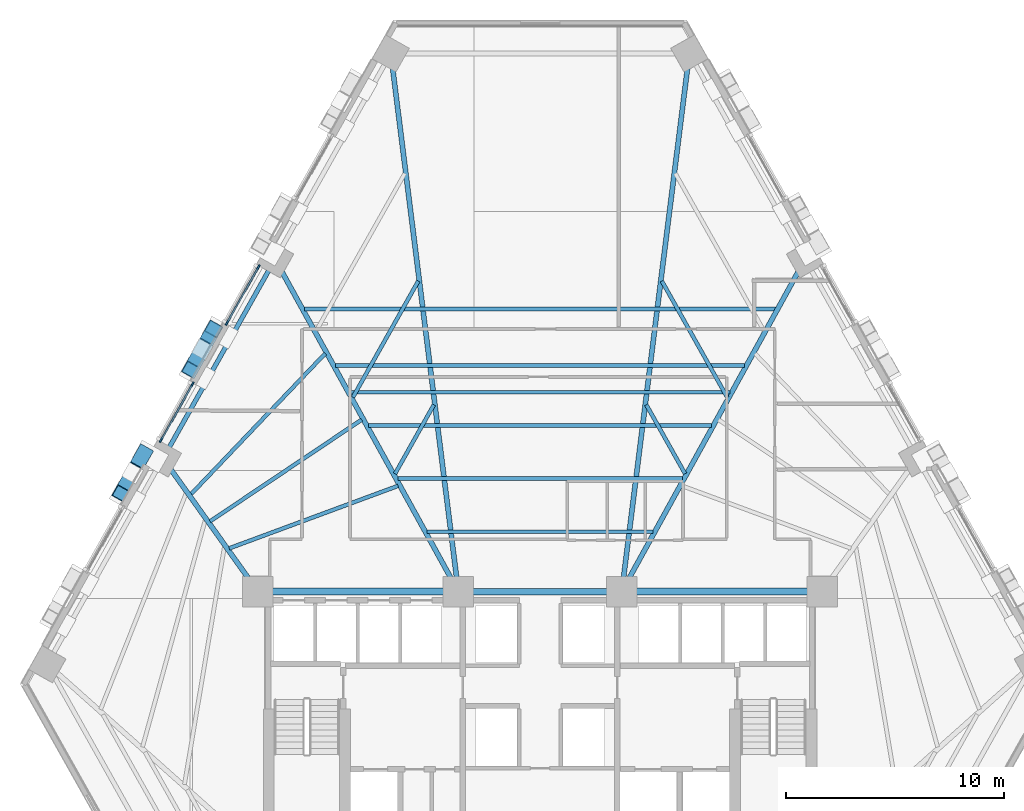
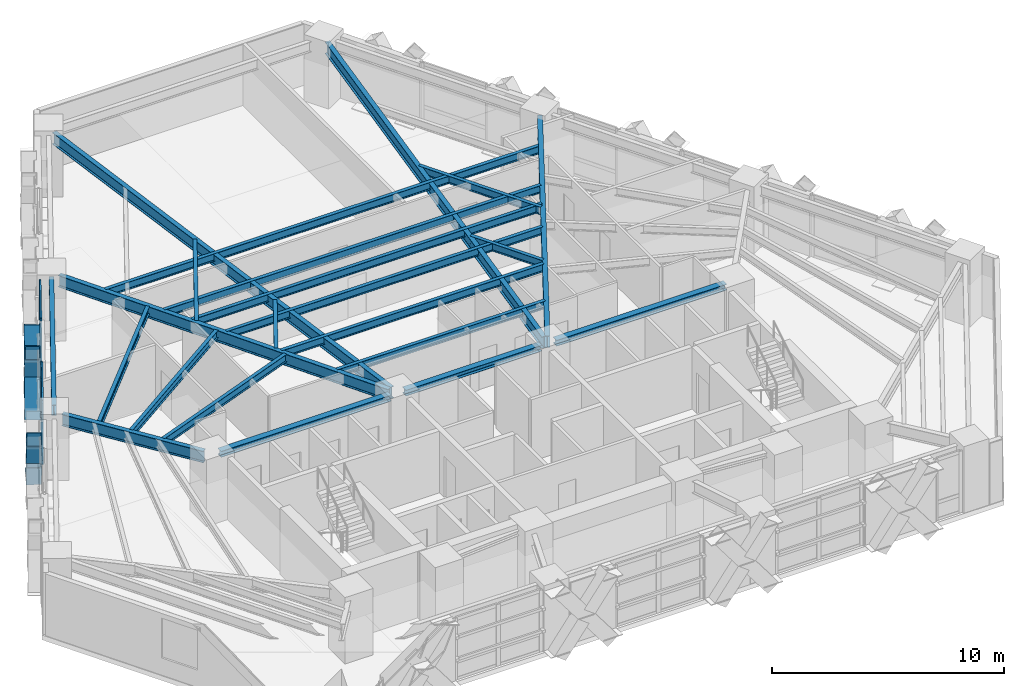
# One storey, part 3 of 13: 22 beams, 15 members, 2 elements without a shape of their own.
"""IFC4 building model written with IfcOpenShell, lengths in metres."""

from ifc_helpers import new_model, si_unit, direction, frame, origin, origin_2d, place, context, subcontext, project, spatial, rectangle, hollow_rectangle, i_section, extrude, material, material_profile, profile_set, type_object, element, aggregate, save


model = new_model("IFC4")

# Units and contexts
model_context = context("Model", 3, precision=1e-05, world=origin(), true_north=direction((0.0, 1.0)))
body_context = subcontext(model_context, "Body", "Model", "MODEL_VIEW")
ifc_project = project(units=[si_unit("LENGTHUNIT", "METRE"), si_unit("AREAUNIT", "SQUARE_METRE"), si_unit("VOLUMEUNIT", "CUBIC_METRE"), si_unit("PLANEANGLEUNIT", "RADIAN"), si_unit("MASSUNIT", "GRAM", prefix="KILO")], contexts=[model_context])

# Site, building, storey
site_placement = place(None, origin())
site = spatial("IfcSite", under=ifc_project, at=site_placement, CompositionType="ELEMENT")
building_placement = place(site_placement, origin())
building = spatial("IfcBuilding", under=site, at=building_placement, Name="Quenlor Broadcast Tower", CompositionType="ELEMENT")
storey_placement = place(building_placement, frame((0.0, 0.0, 41.60009765625)))
storey = spatial("IfcBuildingStorey", under=building, at=storey_placement, Name="L10", CompositionType="ELEMENT", Elevation=41.60009765625)

# Curtain wall, members
ifc_material_1 = material(Name="Architectural Terracotta and Low-E Glazing", Category="masonry")
curtain_wall_type = type_object("IfcCurtainWallType", Name="Unitised Terracotta Curtain Wall System Z1", PredefinedType="NOTDEFINED", material=ifc_material_1)
curtain_wall_1_placement = place(storey_placement, origin())
curtain_wall_1 = element("IfcCurtainWall", 1, at=curtain_wall_1_placement, inside=storey, type_object=curtain_wall_type, Name="L10 Curtain Wall CW1 (L10-NW-G1)", PredefinedType="NOTDEFINED")
ifc_material_2 = material(Name="Aluminium 6063-T6", Category="aluminium")
ifc_material_profile_1 = material_profile(ifc_material_2, rectangle(XDim=0.080078125, YDim=0.219970703125, at=origin_2d()))
ifc_profile_set_1 = profile_set([ifc_material_profile_1], Name="Aluminium 6063-T6 MULL80x220")
member_type_1 = type_object("IfcMemberType", Name="CW1 Aluminium Mullion MULL_CW1", PredefinedType="MULLION", material=ifc_profile_set_1)
member_1_placement = place(storey_placement, frame((-17.39501953125, 2.149169921875, 0.0), z_axis=(0.0, 0.0, 1.0), x_axis=(-0.871568481465, 0.490273782815, 0.0)))
member_1 = element("IfcMember", 2, at=member_1_placement, type_object=member_type_1, Name="CW1 mullion 1", PredefinedType="MULLION", context=body_context, shape_type="SweptSolid", body=[
    extrude(rectangle(XDim=0.080078125, YDim=0.219970703125, at=origin_2d()), origin(), (0.0, 0.0, 1.0), 3.25),
])
member_2_placement = place(storey_placement, frame((-15.94970703125, 4.718505859375, 0.0), z_axis=(0.0, 0.0, 1.0), x_axis=(-0.871568481465, 0.490273782815, 0.0)))
member_2 = element("IfcMember", 3, at=member_2_placement, type_object=member_type_1, Name="CW1 mullion 2", PredefinedType="MULLION", context=body_context, shape_type="SweptSolid", body=[
    extrude(rectangle(XDim=0.080078125, YDim=0.219970703125, at=origin_2d()), origin(), (0.0, 0.0, 1.0), 3.25),
])

curtain_wall_2_placement = place(storey_placement, origin())
curtain_wall_2 = element("IfcCurtainWall", 4, at=curtain_wall_2_placement, inside=storey, type_object=curtain_wall_type, Name="L10 Curtain Wall CW1 (L10-NW-G2)", PredefinedType="NOTDEFINED")
member_3_placement = place(storey_placement, frame((-14.371337890625, 7.524658203125, 0.0), z_axis=(0.0, 0.0, 1.0), x_axis=(-0.871568481465, 0.490273782815, 0.0)))
member_3 = element("IfcMember", 5, at=member_3_placement, type_object=member_type_1, Name="CW1 mullion 1", PredefinedType="MULLION", context=body_context, shape_type="SweptSolid", body=[
    extrude(rectangle(XDim=0.080078125, YDim=0.219970703125, at=origin_2d()), origin(), (0.0, 0.0, 1.0), 3.25),
])
member_4_placement = place(storey_placement, frame((-12.926025390625, 10.09423828125, 0.0), z_axis=(0.0, 0.0, 1.0), x_axis=(-0.871568481465, 0.490273782815, 0.0)))
member_4 = element("IfcMember", 6, at=member_4_placement, type_object=member_type_1, Name="CW1 mullion 2", PredefinedType="MULLION", context=body_context, shape_type="SweptSolid", body=[
    extrude(rectangle(XDim=0.080078125, YDim=0.219970703125, at=origin_2d()), origin(), (0.0, 0.0, 1.0), 3.25),
])

# Member
ifc_material_3 = material(Name="Aluminium 6063-T6", Category="aluminium")
ifc_material_profile_2 = material_profile(ifc_material_3, rectangle(XDim=0.080078125, YDim=0.179931640625, at=origin_2d()))
ifc_profile_set_2 = profile_set([ifc_material_profile_2], Name="Aluminium 6063-T6 TRAN80x180")
member_type_2 = type_object("IfcMemberType", Name="CW1 Aluminium Transom TRAN_CW1", PredefinedType="USERDEFINED", material=ifc_profile_set_2)
member_5_placement = place(storey_placement, frame((-17.37548828125, 2.183837890625, 0.039794921875), z_axis=(0.490297611432, 0.871555076988, 0.0), x_axis=(-0.871555076988, 0.490297611432, 0.0)))
member_5 = element("IfcMember", 7, at=member_5_placement, type_object=member_type_2, Name="CW1 transom 1.1", ObjectType="TRANSOM", PredefinedType="USERDEFINED", context=body_context, shape_type="SweptSolid", body=[
    extrude(rectangle(XDim=0.080078125, YDim=0.179931640625, at=origin_2d()), origin(), (0.0, 0.0, 1.0), 2.8681640625),
])

member_6_placement = place(storey_placement, frame((-17.37548828125, 2.183837890625, 0.949951171875), z_axis=(0.490297611432, 0.871555076988, 0.0), x_axis=(-0.871555076988, 0.490297611432, 0.0)))
member_6 = element("IfcMember", 8, at=member_6_placement, type_object=member_type_2, Name="CW1 transom 1.2", ObjectType="TRANSOM", PredefinedType="USERDEFINED", context=body_context, shape_type="SweptSolid", body=[
    extrude(rectangle(XDim=0.080078125, YDim=0.179931640625, at=origin_2d()), origin(), (0.0, 0.0, 1.0), 2.8681640625),
])

member_7_placement = place(storey_placement, frame((-17.37548828125, 2.183837890625, 3.2099609375), z_axis=(0.490297611432, 0.871555076988, 0.0), x_axis=(-0.871555076988, 0.490297611432, 0.0)))
member_7 = element("IfcMember", 9, at=member_7_placement, type_object=member_type_2, Name="CW1 transom 1.3", ObjectType="TRANSOM", PredefinedType="USERDEFINED", context=body_context, shape_type="SweptSolid", body=[
    extrude(rectangle(XDim=0.080078125, YDim=0.179931640625, at=origin_2d()), origin(), (0.0, 0.0, 1.0), 2.8681640625),
])

aggregate(curtain_wall_1, [member_1, member_2, member_5, member_6, member_7])

member_8_placement = place(storey_placement, frame((-14.3515625, 7.5595703125, 0.039794921875), z_axis=(0.490232948684, 0.871591450179, 0.0), x_axis=(-0.871591450179, 0.490232948684, 0.0)))
member_8 = element("IfcMember", 10, at=member_8_placement, type_object=member_type_2, Name="CW1 transom 1.1", ObjectType="TRANSOM", PredefinedType="USERDEFINED", context=body_context, shape_type="SweptSolid", body=[
    extrude(rectangle(XDim=0.080078125, YDim=0.179931640625, at=origin_2d()), origin(), (0.0, 0.0, 1.0), 2.867919921875),
])

member_9_placement = place(storey_placement, frame((-14.3515625, 7.5595703125, 0.949951171875), z_axis=(0.490232948684, 0.871591450179, 0.0), x_axis=(-0.871591450179, 0.490232948684, 0.0)))
member_9 = element("IfcMember", 11, at=member_9_placement, type_object=member_type_2, Name="CW1 transom 1.2", ObjectType="TRANSOM", PredefinedType="USERDEFINED", context=body_context, shape_type="SweptSolid", body=[
    extrude(rectangle(XDim=0.080078125, YDim=0.179931640625, at=origin_2d()), origin(), (0.0, 0.0, 1.0), 2.867919921875),
])

member_10_placement = place(storey_placement, frame((-14.3515625, 7.5595703125, 3.2099609375), z_axis=(0.490232948684, 0.871591450179, 0.0), x_axis=(-0.871591450179, 0.490232948684, 0.0)))
member_10 = element("IfcMember", 12, at=member_10_placement, type_object=member_type_2, Name="CW1 transom 1.3", ObjectType="TRANSOM", PredefinedType="USERDEFINED", context=body_context, shape_type="SweptSolid", body=[
    extrude(rectangle(XDim=0.080078125, YDim=0.179931640625, at=origin_2d()), origin(), (0.0, 0.0, 1.0), 2.867919921875),
])

aggregate(curtain_wall_2, [member_3, member_4, member_8, member_9, member_10])

# Beams
ifc_material_4 = material(Name="Steel S355", Category="steel")
ifc_material_profile_3 = material_profile(ifc_material_4, i_section(OverallWidth=0.304931640625, OverallDepth=0.30810546875, WebThickness=0.010009765625, FlangeThickness=0.015380859375, FilletRadius=0.0166015625, at=origin_2d()))
ifc_profile_set_3 = profile_set([ifc_material_profile_3], Name="Steel S355 310UC96.8")
beam_type_1 = type_object("IfcBeamType", Name="Core Header Beam Steel S355 310UC96.8", PredefinedType="BEAM", material=ifc_profile_set_3)
beam_1_placement = place(storey_placement, frame((-3.389892578125, -4.800048828125, 3.095947265625), z_axis=(1.0, 0.0, 0.0), x_axis=(0.0, 1.0, 0.0)))
element("IfcBeam", 13, at=beam_1_placement, inside=storey, type_object=beam_type_1, Name="L10 Core Header Beam 2", PredefinedType="BEAM", context=body_context, shape_type="SweptSolid", body=[
    extrude(i_section(OverallWidth=0.304931640625, OverallDepth=0.30810546875, WebThickness=0.010009765625, FlangeThickness=0.015380859375, FilletRadius=0.0166015625, at=origin_2d()), origin(), (0.0, 0.0, 1.0), 6.77978515625),
])
ifc_material_5 = material(Name="Steel S355", Category="steel")
ifc_material_profile_4 = material_profile(ifc_material_5, i_section(OverallWidth=0.306884765625, OverallDepth=0.314697265625, WebThickness=0.011962890625, FlangeThickness=0.018798828125, FilletRadius=0.0166015625, at=origin_2d()))
ifc_profile_set_4 = profile_set([ifc_material_profile_4], Name="Steel S355 310UC118")
beam_type_2 = type_object("IfcBeamType", Name="Core Tie Beam Steel S355 310UC118", PredefinedType="BEAM", material=ifc_profile_set_4)
for number, where, z_axis, x_axis, name in (
    (14, (-12.590087890625, -4.800048828125, 3.092529296875), (1.0, 0.0, 0.0), (0.0, 1.0, 0.0), "L10 Core Tie Beam 1"),
    (15, (4.110107421875, -4.800048828125, 3.092529296875), (1.0, 0.0, 0.0), (0.0, 1.0, 0.0), "L10 Core Tie Beam 3"),
):
    element("IfcBeam", number, at=place(storey_placement, frame(where, z_axis=z_axis, x_axis=x_axis)), inside=storey, type_object=beam_type_2, Name=name, PredefinedType="BEAM", context=body_context, shape_type="SweptSolid", body=[
        extrude(i_section(OverallWidth=0.306884765625, OverallDepth=0.314697265625, WebThickness=0.011962890625, FlangeThickness=0.018798828125, FilletRadius=0.0166015625, at=origin_2d()), origin(), (0.0, 0.0, 1.0), 8.47998046875),
    ])

# Members
ifc_material_6 = material(Name="Steel S355", Category="steel")
ifc_material_profile_5 = material_profile(ifc_material_6, hollow_rectangle(XDim=0.679931640625, YDim=0.679931640625, WallThickness=0.034912109375, at=origin_2d()))
ifc_profile_set_5 = profile_set([ifc_material_profile_5], Name="Steel S355 RHS680x680x35")
member_type_3 = type_object("IfcMemberType", Name="Perimeter Diagonal Lattice Brace Z1 Steel S355 RHS680x35", PredefinedType="BRACE", material=ifc_profile_set_5)
member_11_placement = place(storey_placement, frame((-18.175048828125, 1.56787109375, -0.1201171875), z_axis=(-0.256451721554, -0.455763724789, 0.852356698618), x_axis=(0.871506382136, -0.490384161547, 0.0)))
element("IfcMember", 16, at=member_11_placement, inside=storey, type_object=member_type_3, Name="L10 Perimeter Diamond Lattice NW-C2XB1", PredefinedType="BRACE", context=body_context, shape_type="SweptSolid", body=[
    extrude(hollow_rectangle(XDim=0.679931640625, YDim=0.679931640625, WallThickness=0.034912109375, at=origin_2d()), origin(), (0.0, 0.0, 1.0), 1.802978515625),
])
member_12_placement = place(storey_placement, frame((-18.765625, 0.518310546875, 1.843017578125), z_axis=(-0.256435894674, -0.455870991217, 0.852304095549), x_axis=(0.871568623966, -0.49027352949, 0.0)))
element("IfcMember", 17, at=member_12_placement, inside=storey, type_object=member_type_3, Name="L10 Perimeter Diamond Lattice NW-C2XB2", PredefinedType="BRACE", context=body_context, shape_type="SweptSolid", body=[
    extrude(hollow_rectangle(XDim=0.679931640625, YDim=0.679931640625, WallThickness=0.034912109375, at=origin_2d()), origin(), (0.0, 0.0, 1.0), 1.80322265625),
])
member_13_placement = place(storey_placement, frame((-16.03125, 5.37939453125, -0.1201171875), z_axis=(0.256368393635, 0.455838699906, 0.852341672343), x_axis=(-0.871608931644, 0.490201866865, 0.0)))
element("IfcMember", 18, at=member_13_placement, inside=storey, type_object=member_type_3, Name="L10 Perimeter Diamond Lattice NW-C3XA", PredefinedType="BRACE", context=body_context, shape_type="SweptSolid", body=[
    extrude(hollow_rectangle(XDim=0.679931640625, YDim=0.679931640625, WallThickness=0.034912109375, at=origin_2d()), origin(), (0.0, 0.0, 1.0), 4.1064453125),
])
for number, where, z_axis, x_axis, name in (
    (19, (-14.978515625, 7.251220703125, -0.1201171875), (-0.256309397679, -0.455886815629, 0.852333681135), (0.871679226863, -0.490076856683, 0.0), "L10 Perimeter Diamond Lattice NW-C3XB1"),
    (20, (-15.56884765625, 6.201416015625, 1.843017578125), (-0.256435894674, -0.455870991217, 0.852304095549), (0.871568623966, -0.49027352949, 0.0), "L10 Perimeter Diamond Lattice NW-C3XB2"),
):
    element("IfcMember", number, at=place(storey_placement, frame(where, z_axis=z_axis, x_axis=x_axis)), inside=storey, type_object=member_type_3, Name=name, PredefinedType="BRACE", context=body_context, shape_type="SweptSolid", body=[
        extrude(hollow_rectangle(XDim=0.679931640625, YDim=0.679931640625, WallThickness=0.034912109375, at=origin_2d()), origin(), (0.0, 0.0, 1.0), 1.80322265625),
    ])

# Beams
ifc_material_7 = material(Name="Steel S355", Category="steel")
ifc_material_profile_6 = material_profile(ifc_material_7, i_section(OverallWidth=0.208984375, OverallDepth=0.532958984375, WebThickness=0.01025390625, FlangeThickness=0.015625, FilletRadius=0.013916015625, at=origin_2d()))
ifc_profile_set_6 = profile_set([ifc_material_profile_6], Name="Steel S355 530UB92.4")
beam_type_3 = type_object("IfcBeamType", Name="Perimeter Spandrel Beam Z1 Steel S355 530UB92.4", PredefinedType="SPANDREL", material=ifc_profile_set_6)
beam_2_placement = place(storey_placement, frame((-12.364013671875, 10.093505859375, 2.9833984375), z_axis=(-0.490257642051, -0.871577560755, 0.0), x_axis=(0.871577560755, -0.490257642051, 0.0)))
element("IfcBeam", 21, at=beam_2_placement, inside=storey, type_object=beam_type_3, Name="L10 Spandrel Beam NW2-NW3", PredefinedType="SPANDREL", context=body_context, shape_type="SweptSolid", body=[
    extrude(i_section(OverallWidth=0.208984375, OverallDepth=0.532958984375, WebThickness=0.01025390625, FlangeThickness=0.015625, FilletRadius=0.013916015625, at=origin_2d()), origin(), (0.0, 0.0, 1.0), 9.665771484375),
])
ifc_material_8 = material(Name="Steel S355", Category="steel")
ifc_material_profile_7 = material_profile(ifc_material_8, i_section(OverallWidth=0.177978515625, OverallDepth=0.406494140625, WebThickness=0.0078125, FlangeThickness=0.0126953125, FilletRadius=0.011474609375, at=origin_2d()))
ifc_profile_set_7 = profile_set([ifc_material_profile_7], Name="Steel S355 410UB59.7")
beam_type_4 = type_object("IfcBeamType", Name="Tower Composite Joist Z1 Steel S355 410UB59.7", PredefinedType="JOIST", material=ifc_profile_set_7)
beam_3_placement = place(storey_placement, frame((-5.184326171875, -2.0546875, 3.046630859375), z_axis=(1.0, 0.0, 0.0), x_axis=(0.0, 1.0, 0.0)))
element("IfcBeam", 22, at=beam_3_placement, inside=storey, type_object=beam_type_4, Name="L10 Secondary Composite Joist 1", PredefinedType="JOIST", context=body_context, shape_type="SweptSolid", body=[
    extrude(i_section(OverallWidth=0.177978515625, OverallDepth=0.406494140625, WebThickness=0.0078125, FlangeThickness=0.0126953125, FilletRadius=0.011474609375, at=origin_2d()), origin(), (0.0, 0.0, 1.0), 10.36865234375),
])
beam_4_placement = place(storey_placement, frame((-8.718017578125, 4.3505859375, 3.046630859375), z_axis=(1.0, 0.0, 0.0), x_axis=(0.0, 1.0, 0.0)))
element("IfcBeam", 23, at=beam_4_placement, inside=storey, type_object=beam_type_4, Name="L10 Secondary Composite Joist 2", PredefinedType="JOIST", context=body_context, shape_type="SweptSolid", body=[
    extrude(i_section(OverallWidth=0.177978515625, OverallDepth=0.406494140625, WebThickness=0.0078125, FlangeThickness=0.0126953125, FilletRadius=0.011474609375, at=origin_2d()), origin(), (0.0, 0.0, 1.0), 17.43603515625),
])
beam_5_placement = place(storey_placement, frame((-6.530517578125, 0.38525390625, 3.046630859375), z_axis=(1.0, 0.0, 0.0), x_axis=(0.0, 1.0, 0.0)))
element("IfcBeam", 24, at=beam_5_placement, inside=storey, type_object=beam_type_4, Name="L10 Secondary Composite Joist 3", PredefinedType="JOIST", context=body_context, shape_type="SweptSolid", body=[
    extrude(i_section(OverallWidth=0.177978515625, OverallDepth=0.406494140625, WebThickness=0.0078125, FlangeThickness=0.0126953125, FilletRadius=0.011474609375, at=origin_2d()), origin(), (0.0, 0.0, 1.0), 13.06103515625),
])
beam_6_placement = place(storey_placement, frame((-7.87646484375, 2.825439453125, 3.046630859375), z_axis=(1.0, 0.0, 0.0), x_axis=(0.0, 1.0, 0.0)))
element("IfcBeam", 25, at=beam_6_placement, inside=storey, type_object=beam_type_4, Name="L10 Secondary Composite Joist 4", PredefinedType="JOIST", context=body_context, shape_type="SweptSolid", body=[
    extrude(i_section(OverallWidth=0.177978515625, OverallDepth=0.406494140625, WebThickness=0.0078125, FlangeThickness=0.0126953125, FilletRadius=0.011474609375, at=origin_2d()), origin(), (0.0, 0.0, 1.0), 15.7529296875),
])
beam_7_placement = place(storey_placement, frame((-9.390869140625, 5.570556640625, 3.046630859375), z_axis=(1.0, 0.0, 0.0), x_axis=(0.0, 1.0, 0.0)))
element("IfcBeam", 26, at=beam_7_placement, inside=storey, type_object=beam_type_4, Name="L10 Secondary Composite Joist 5", PredefinedType="JOIST", context=body_context, shape_type="SweptSolid", body=[
    extrude(i_section(OverallWidth=0.177978515625, OverallDepth=0.406494140625, WebThickness=0.0078125, FlangeThickness=0.0126953125, FilletRadius=0.011474609375, at=origin_2d()), origin(), (0.0, 0.0, 1.0), 18.78173828125),
])
beam_8_placement = place(storey_placement, frame((-10.821044921875, 8.163330078125, 3.046630859375), z_axis=(1.0, 0.0, 0.0), x_axis=(0.0, 1.0, 0.0)))
element("IfcBeam", 27, at=beam_8_placement, inside=storey, type_object=beam_type_4, Name="L10 Secondary Composite Joist 6", PredefinedType="JOIST", context=body_context, shape_type="SweptSolid", body=[
    extrude(i_section(OverallWidth=0.177978515625, OverallDepth=0.406494140625, WebThickness=0.0078125, FlangeThickness=0.0126953125, FilletRadius=0.011474609375, at=origin_2d()), origin(), (0.0, 0.0, 1.0), 21.64208984375),
])
beam_9_placement = place(storey_placement, frame((-14.268310546875, -2.81640625, 3.046630859375), z_axis=(0.937824633945, 0.347109429383, 0.0), x_axis=(-0.347109429383, 0.937824633945, 0.0)))
element("IfcBeam", 28, at=beam_9_placement, inside=storey, type_object=beam_type_4, Name="L10 Secondary Composite Joist 7", PredefinedType="JOIST", context=body_context, shape_type="SweptSolid", body=[
    extrude(i_section(OverallWidth=0.177978515625, OverallDepth=0.406494140625, WebThickness=0.0078125, FlangeThickness=0.0126953125, FilletRadius=0.011474609375, at=origin_2d()), origin(), (0.0, 0.0, 1.0), 8.26513671875),
])
beam_10_placement = place(storey_placement, frame((-15.147705078125, -1.577392578125, 3.046630859375), z_axis=(0.830625844363, 0.556830949819, 0.0), x_axis=(-0.556830949819, 0.830625844363, 0.0)))
element("IfcBeam", 29, at=beam_10_placement, inside=storey, type_object=beam_type_4, Name="L10 Secondary Composite Joist 8", PredefinedType="JOIST", context=body_context, shape_type="SweptSolid", body=[
    extrude(i_section(OverallWidth=0.177978515625, OverallDepth=0.406494140625, WebThickness=0.0078125, FlangeThickness=0.0126953125, FilletRadius=0.011474609375, at=origin_2d()), origin(), (0.0, 0.0, 1.0), 8.374755859375),
])
beam_11_placement = place(storey_placement, frame((-16.029541015625, -0.341796875, 3.046630859375), z_axis=(0.690241086162, 0.723579465556, 0.0), x_axis=(-0.723579465556, 0.690241086162, 0.0)))
element("IfcBeam", 30, at=beam_11_placement, inside=storey, type_object=beam_type_4, Name="L10 Secondary Composite Joist 9", PredefinedType="JOIST", context=body_context, shape_type="SweptSolid", body=[
    extrude(i_section(OverallWidth=0.177978515625, OverallDepth=0.406494140625, WebThickness=0.0078125, FlangeThickness=0.0126953125, FilletRadius=0.011474609375, at=origin_2d()), origin(), (0.0, 0.0, 1.0), 8.93408203125),
])
beam_12_placement = place(storey_placement, frame((-4.87451171875, 3.7734375, 3.046630859375), z_axis=(-0.490286766726, -0.871561177642, 0.0), x_axis=(0.871561177642, -0.490286766726, 0.0)))
element("IfcBeam", 31, at=beam_12_placement, inside=storey, type_object=beam_type_4, Name="L10 Secondary Composite Joist 25", PredefinedType="JOIST", context=body_context, shape_type="SweptSolid", body=[
    extrude(i_section(OverallWidth=0.177978515625, OverallDepth=0.406494140625, WebThickness=0.0078125, FlangeThickness=0.0126953125, FilletRadius=0.011474609375, at=origin_2d()), origin(), (0.0, 0.0, 1.0), 3.632568359375),
])
beam_13_placement = place(storey_placement, frame((-5.587646484375, 9.453125, 3.046630859375), z_axis=(-0.490276380443, -0.871567020246, 0.0), x_axis=(0.871567020246, -0.490276380443, 0.0)))
element("IfcBeam", 32, at=beam_13_placement, inside=storey, type_object=beam_type_4, Name="L10 Secondary Composite Joist 26", PredefinedType="JOIST", context=body_context, shape_type="SweptSolid", body=[
    extrude(i_section(OverallWidth=0.177978515625, OverallDepth=0.406494140625, WebThickness=0.0078125, FlangeThickness=0.0126953125, FilletRadius=0.011474609375, at=origin_2d()), origin(), (0.0, 0.0, 1.0), 6.12451171875),
])
beam_14_placement = place(storey_placement, frame((4.87451171875, 3.7734375, 3.046630859375), z_axis=(0.490286766726, -0.871561177642, 0.0), x_axis=(0.871561177642, 0.490286766726, 0.0)))
element("IfcBeam", 33, at=beam_14_placement, inside=storey, type_object=beam_type_4, Name="L10 Secondary Composite Joist 28", PredefinedType="JOIST", context=body_context, shape_type="SweptSolid", body=[
    extrude(i_section(OverallWidth=0.177978515625, OverallDepth=0.406494140625, WebThickness=0.0078125, FlangeThickness=0.0126953125, FilletRadius=0.011474609375, at=origin_2d()), origin(), (0.0, 0.0, 1.0), 3.632568359375),
])
beam_15_placement = place(storey_placement, frame((5.587646484375, 9.453125, 3.046630859375), z_axis=(0.490276380443, -0.871567020246, 0.0), x_axis=(0.871567020246, 0.490276380443, 0.0)))
element("IfcBeam", 34, at=beam_15_placement, inside=storey, type_object=beam_type_4, Name="L10 Secondary Composite Joist 29", PredefinedType="JOIST", context=body_context, shape_type="SweptSolid", body=[
    extrude(i_section(OverallWidth=0.177978515625, OverallDepth=0.406494140625, WebThickness=0.0078125, FlangeThickness=0.0126953125, FilletRadius=0.011474609375, at=origin_2d()), origin(), (0.0, 0.0, 1.0), 6.12451171875),
])
ifc_material_9 = material(Name="Steel S355", Category="steel")
ifc_material_profile_8 = material_profile(ifc_material_9, i_section(OverallWidth=0.22900390625, OverallDepth=0.611572265625, WebThickness=0.011962890625, FlangeThickness=0.01953125, FilletRadius=0.013916015625, at=origin_2d()))
ifc_profile_set_8 = profile_set([ifc_material_profile_8], Name="Steel S355 610UB125")
beam_type_5 = type_object("IfcBeamType", Name="Tower Primary Floor Beam Z1 Steel S355 610UB125", PredefinedType="BEAM", material=ifc_profile_set_8)
beam_16_placement = place(storey_placement, frame((11.965087890625, 10.091796875, 2.944091796875), z_axis=(-0.483026493693, -0.875605736842, 0.0), x_axis=(0.875605736842, -0.483026493693, 0.0)))
element("IfcBeam", 35, at=beam_16_placement, inside=storey, type_object=beam_type_5, Name="L10 Primary Radial Beam NE3", PredefinedType="BEAM", context=body_context, shape_type="SweptSolid", body=[
    extrude(i_section(OverallWidth=0.22900390625, OverallDepth=0.611572265625, WebThickness=0.011962890625, FlangeThickness=0.01953125, FilletRadius=0.013916015625, at=origin_2d()), origin(), (0.0, 0.0, 1.0), 16.62744140625),
])
for number, where, z_axis, x_axis, name in (
    (36, (6.7998046875, 19.48779296875, 2.944091796875), (-0.124589575762, -0.99220836401, 0.0), (0.99220836401, -0.124589575762, 0.0), "L10 Primary Radial Beam NE4"),
    (37, (-6.7998046875, 19.48779296875, 2.944091796875), (0.124589575762, -0.99220836401, 0.0), (0.99220836401, 0.124589575762, 0.0), "L10 Primary Radial Beam NW1"),
):
    element("IfcBeam", number, at=place(storey_placement, frame(where, z_axis=z_axis, x_axis=x_axis)), inside=storey, type_object=beam_type_5, Name=name, PredefinedType="BEAM", context=body_context, shape_type="SweptSolid", body=[
        extrude(i_section(OverallWidth=0.22900390625, OverallDepth=0.611572265625, WebThickness=0.011962890625, FlangeThickness=0.01953125, FilletRadius=0.013916015625, at=origin_2d()), origin(), (0.0, 0.0, 1.0), 24.0986328125),
    ])
beam_17_placement = place(storey_placement, frame((-11.965087890625, 10.091796875, 2.944091796875), z_axis=(0.483026493693, -0.875605736842, 0.0), x_axis=(0.875605736842, 0.483026493693, 0.0)))
element("IfcBeam", 38, at=beam_17_placement, inside=storey, type_object=beam_type_5, Name="L10 Primary Radial Beam NW2", PredefinedType="BEAM", context=body_context, shape_type="SweptSolid", body=[
    extrude(i_section(OverallWidth=0.22900390625, OverallDepth=0.611572265625, WebThickness=0.011962890625, FlangeThickness=0.01953125, FilletRadius=0.013916015625, at=origin_2d()), origin(), (0.0, 0.0, 1.0), 16.62744140625),
])
beam_18_placement = place(storey_placement, frame((-17.06591796875, 0.977783203125, 2.944091796875), z_axis=(0.580212680853, -0.814465005373, 0.0), x_axis=(0.814465005373, 0.580212680853, 0.0)))
element("IfcBeam", 39, at=beam_18_placement, inside=storey, type_object=beam_type_5, Name="L10 Primary Radial Beam NW3", PredefinedType="BEAM", context=body_context, shape_type="SweptSolid", body=[
    extrude(i_section(OverallWidth=0.22900390625, OverallDepth=0.611572265625, WebThickness=0.011962890625, FlangeThickness=0.01953125, FilletRadius=0.013916015625, at=origin_2d()), origin(), (0.0, 0.0, 1.0), 6.7138671875),
])

save(model, "model.ifc")
